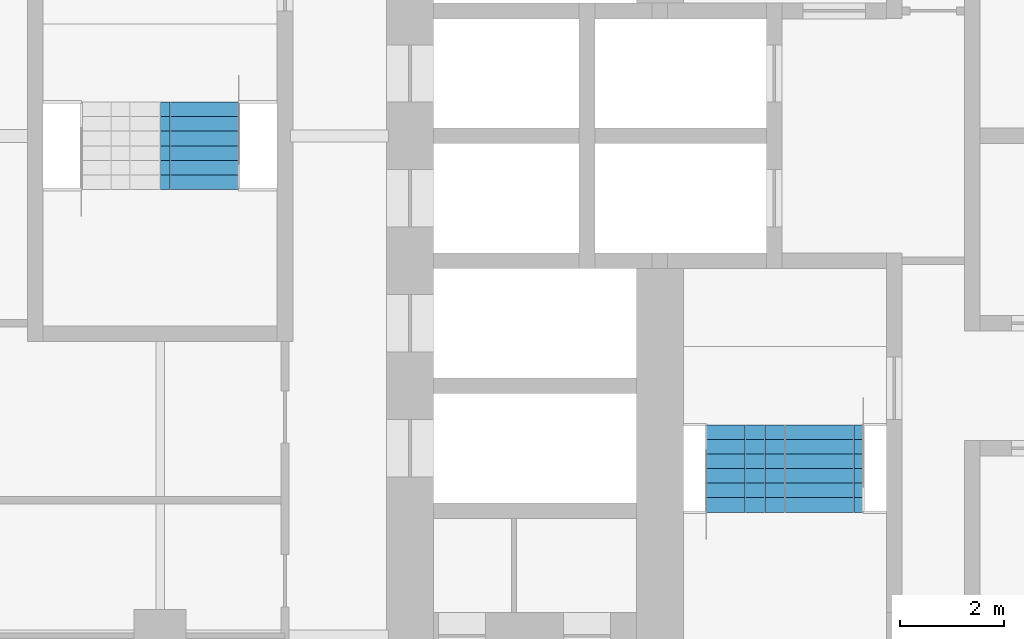
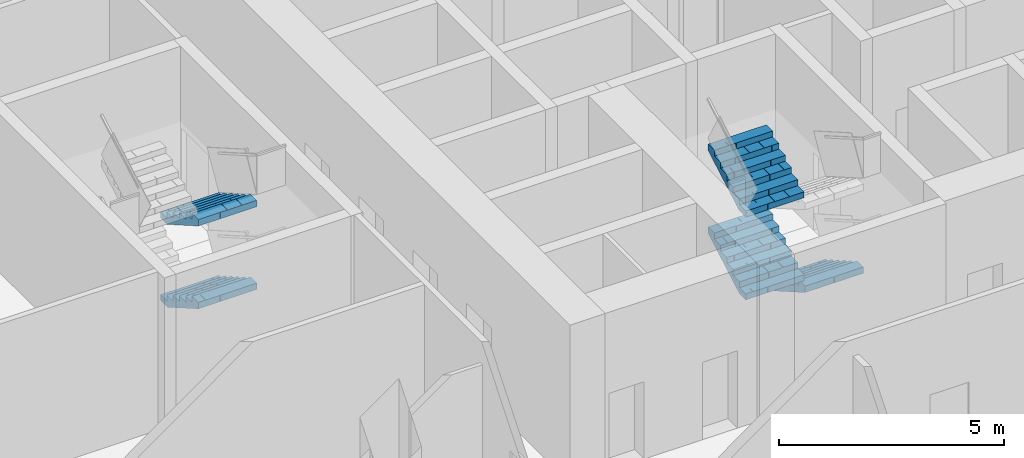
# One storey, part 18 of 23: 5 stair flights, 2 elements without a shape of their own.
"""IFC4 building model written with IfcOpenShell, lengths in metres."""

from ifc_helpers import new_model, si_unit, direction, frame, origin, place, context, subcontext, project, spatial, polyline, outline, extrude, material, type_object, element, aggregate, save


model = new_model("IFC4")

# Units and contexts
model_context = context("Model", 3, precision=1e-05, world=origin(), true_north=direction((0.0, 1.0)))
body_context = subcontext(model_context, "Body", "Model", "MODEL_VIEW")
ifc_project = project(units=[si_unit("LENGTHUNIT", "METRE"), si_unit("AREAUNIT", "SQUARE_METRE"), si_unit("VOLUMEUNIT", "CUBIC_METRE"), si_unit("PLANEANGLEUNIT", "RADIAN"), si_unit("MASSUNIT", "GRAM", prefix="KILO")], contexts=[model_context])

# Site, building, storey
site_placement = place(None, origin())
site = spatial("IfcSite", under=ifc_project, at=site_placement, CompositionType="ELEMENT")
building_placement = place(site_placement, origin())
building = spatial("IfcBuilding", under=site, at=building_placement, Name="Kolab Exchange Tower", CompositionType="ELEMENT")
storey_placement = place(building_placement, frame((0.0, 0.0, 95.89990234375)))
storey = spatial("IfcBuildingStorey", under=building, at=storey_placement, Name="L18", CompositionType="ELEMENT", Elevation=95.89990234375)

# Stair, stair flights
ifc_material = material(Name="Concrete C50/60", Category="concrete")
stair_type_1 = type_object("IfcStairType", Name="STAIR ST3 RISER 160.7", PredefinedType="DOUBLE_RETURN_STAIR", material=ifc_material)
stair_1_placement = place(storey_placement, origin())
stair_1 = element("IfcStair", 1, at=stair_1_placement, inside=storey, type_object=stair_type_1, Name="Stair 3", PredefinedType="DOUBLE_RETURN_STAIR")
stair_flight_type = type_object("IfcStairFlightType", Name="STAIR FLIGHT 1500 RISER 160.7", PredefinedType="STRAIGHT", material=ifc_material)
stair_flight_1_placement = place(storey_placement, frame((-6.43994140625, -5.550048828125, 0.0), z_axis=(0.0, 0.0, 1.0), x_axis=(0.0, -1.0, 0.0)))
stair_flight_1 = element("IfcStairFlight", 2, at=stair_flight_1_placement, type_object=stair_flight_type, Name="ST3 flight 1", NumberOfRisers=7, NumberOfTreads=6, PredefinedType="STRAIGHT", RiserHeight=0.160714286, TreadLength=0.28, context=body_context, shape_type="SweptSolid", body=[
    extrude(outline(polyline([(0.0, 0.0), (0.0, 0.16064453125), (0.280029296875, 0.16064453125), (0.280029296875, 0.321533203125), (0.56005859375, 0.321533203125), (0.56005859375, 0.482177734375), (0.840087890625, 0.482177734375), (0.840087890625, 0.642822265625), (1.1201171875, 0.642822265625), (1.1201171875, 0.803466796875), (1.39990234375, 0.803466796875), (1.39990234375, 0.96435546875), (1.679931640625, 0.96435546875), (1.679931640625, 1.125), (1.679931640625, 0.79150390625), (0.301025390625, 0.0), (0.0, 0.0)])), frame((0.0, 0.75, 0.0), z_axis=(0.0, -1.0, 0.0), x_axis=(1.0, 0.0, 0.0)), (0.0, 0.0, 1.0), 0.185791015625),
    extrude(outline(polyline([(0.0, 0.0), (0.0, 0.16064453125), (0.280029296875, 0.16064453125), (0.280029296875, 0.321533203125), (0.56005859375, 0.321533203125), (0.56005859375, 0.482177734375), (0.840087890625, 0.482177734375), (0.840087890625, 0.642822265625), (1.1201171875, 0.642822265625), (1.1201171875, 0.803466796875), (1.39990234375, 0.803466796875), (1.39990234375, 0.96435546875), (1.679931640625, 0.96435546875), (1.679931640625, 1.125), (1.679931640625, 0.79150390625), (0.301025390625, 0.0), (0.0, 0.0)])), frame((0.0, 0.562255859375, 0.0), z_axis=(0.0, -1.0, 0.0), x_axis=(1.0, 0.0, 0.0)), (0.0, 0.0, 1.0), 0.185791015625),
    extrude(outline(polyline([(0.0, 0.0), (0.0, 0.16064453125), (0.280029296875, 0.16064453125), (0.280029296875, 0.321533203125), (0.56005859375, 0.321533203125), (0.56005859375, 0.482177734375), (0.840087890625, 0.482177734375), (0.840087890625, 0.642822265625), (1.1201171875, 0.642822265625), (1.1201171875, 0.803466796875), (1.39990234375, 0.803466796875), (1.39990234375, 0.96435546875), (1.679931640625, 0.96435546875), (1.679931640625, 1.125), (1.679931640625, 0.79150390625), (0.301025390625, 0.0), (0.0, 0.0)])), frame((0.0, 0.37451171875, 0.0), z_axis=(0.0, -1.0, 0.0), x_axis=(1.0, 0.0, 0.0)), (0.0, 0.0, 1.0), 0.185791015625),
    extrude(outline(polyline([(0.0, 0.0), (0.0, 0.16064453125), (0.280029296875, 0.16064453125), (0.280029296875, 0.321533203125), (0.56005859375, 0.321533203125), (0.56005859375, 0.482177734375), (0.840087890625, 0.482177734375), (0.840087890625, 0.642822265625), (1.1201171875, 0.642822265625), (1.1201171875, 0.803466796875), (1.39990234375, 0.803466796875), (1.39990234375, 0.96435546875), (1.679931640625, 0.96435546875), (1.679931640625, 1.125), (1.679931640625, 0.79150390625), (0.301025390625, 0.0), (0.0, 0.0)])), frame((0.0, 0.186767578125, 0.0), z_axis=(0.0, -1.0, 0.0), x_axis=(1.0, 0.0, 0.0)), (0.0, 0.0, 1.0), 0.185791015625),
    extrude(outline(polyline([(0.0, 0.0), (0.0, 0.16064453125), (0.280029296875, 0.16064453125), (0.280029296875, 0.321533203125), (0.56005859375, 0.321533203125), (0.56005859375, 0.482177734375), (0.840087890625, 0.482177734375), (0.840087890625, 0.642822265625), (1.1201171875, 0.642822265625), (1.1201171875, 0.803466796875), (1.39990234375, 0.803466796875), (1.39990234375, 0.96435546875), (1.679931640625, 0.96435546875), (1.679931640625, 1.125), (1.679931640625, 0.79150390625), (0.301025390625, 0.0), (0.0, 0.0)])), frame((0.0, -0.0009765625, 0.0), z_axis=(0.0, -1.0, 0.0), x_axis=(1.0, 0.0, 0.0)), (0.0, 0.0, 1.0), 0.185791015625),
    extrude(outline(polyline([(0.0, 0.0), (0.0, 0.16064453125), (0.280029296875, 0.16064453125), (0.280029296875, 0.321533203125), (0.56005859375, 0.321533203125), (0.56005859375, 0.482177734375), (0.840087890625, 0.482177734375), (0.840087890625, 0.642822265625), (1.1201171875, 0.642822265625), (1.1201171875, 0.803466796875), (1.39990234375, 0.803466796875), (1.39990234375, 0.96435546875), (1.679931640625, 0.96435546875), (1.679931640625, 1.125), (1.679931640625, 0.79150390625), (0.301025390625, 0.0), (0.0, 0.0)])), frame((0.0, -0.188720703125, 0.0), z_axis=(0.0, -1.0, 0.0), x_axis=(1.0, 0.0, 0.0)), (0.0, 0.0, 1.0), 0.185791015625),
    extrude(outline(polyline([(0.0, 0.0), (0.0, 0.16064453125), (0.280029296875, 0.16064453125), (0.280029296875, 0.321533203125), (0.56005859375, 0.321533203125), (0.56005859375, 0.482177734375), (0.840087890625, 0.482177734375), (0.840087890625, 0.642822265625), (1.1201171875, 0.642822265625), (1.1201171875, 0.803466796875), (1.39990234375, 0.803466796875), (1.39990234375, 0.96435546875), (1.679931640625, 0.96435546875), (1.679931640625, 1.125), (1.679931640625, 0.79150390625), (0.301025390625, 0.0), (0.0, 0.0)])), frame((0.0, -0.37646484375, 0.0), z_axis=(0.0, -1.0, 0.0), x_axis=(1.0, 0.0, 0.0)), (0.0, 0.0, 1.0), 0.185791015625),
    extrude(outline(polyline([(0.0, 0.0), (0.0, 0.16064453125), (0.280029296875, 0.16064453125), (0.280029296875, 0.321533203125), (0.56005859375, 0.321533203125), (0.56005859375, 0.482177734375), (0.840087890625, 0.482177734375), (0.840087890625, 0.642822265625), (1.1201171875, 0.642822265625), (1.1201171875, 0.803466796875), (1.39990234375, 0.803466796875), (1.39990234375, 0.96435546875), (1.679931640625, 0.96435546875), (1.679931640625, 1.125), (1.679931640625, 0.79150390625), (0.301025390625, 0.0), (0.0, 0.0)])), frame((0.0, -0.564208984375, 0.0), z_axis=(0.0, -1.0, 0.0), x_axis=(1.0, 0.0, 0.0)), (0.0, 0.0, 1.0), 0.185791015625),
])
stair_flight_2_placement = place(storey_placement, frame((-7.9599609375, -7.22998046875, 1.125), z_axis=(0.0, 0.0, 1.0), x_axis=(0.0, 1.0, 0.0)))
stair_flight_2 = element("IfcStairFlight", 3, at=stair_flight_2_placement, type_object=stair_flight_type, Name="ST3 flight 2", NumberOfRisers=7, NumberOfTreads=6, PredefinedType="STRAIGHT", RiserHeight=0.160714286, TreadLength=0.28, context=body_context, shape_type="SweptSolid", body=[
    extrude(outline(polyline([(0.0, 0.0), (0.0, 0.16064453125), (0.280029296875, 0.16064453125), (0.280029296875, 0.321533203125), (0.56005859375, 0.321533203125), (0.56005859375, 0.482177734375), (0.840087890625, 0.482177734375), (0.840087890625, 0.642822265625), (1.1201171875, 0.642822265625), (1.1201171875, 0.803466796875), (1.39990234375, 0.803466796875), (1.39990234375, 0.96435546875), (1.679931640625, 0.96435546875), (1.679931640625, 1.125), (1.679931640625, 0.79150390625), (0.301025390625, 0.0), (0.0, 0.0)])), frame((0.0, 0.75, 0.0), z_axis=(0.0, -1.0, 0.0), x_axis=(1.0, 0.0, 0.0)), (0.0, 0.0, 1.0), 0.185791015625),
    extrude(outline(polyline([(0.0, 0.0), (0.0, 0.16064453125), (0.280029296875, 0.16064453125), (0.280029296875, 0.321533203125), (0.56005859375, 0.321533203125), (0.56005859375, 0.482177734375), (0.840087890625, 0.482177734375), (0.840087890625, 0.642822265625), (1.1201171875, 0.642822265625), (1.1201171875, 0.803466796875), (1.39990234375, 0.803466796875), (1.39990234375, 0.96435546875), (1.679931640625, 0.96435546875), (1.679931640625, 1.125), (1.679931640625, 0.79150390625), (0.301025390625, 0.0), (0.0, 0.0)])), frame((0.0, 0.562255859375, 0.0), z_axis=(0.0, -1.0, 0.0), x_axis=(1.0, 0.0, 0.0)), (0.0, 0.0, 1.0), 0.185791015625),
    extrude(outline(polyline([(0.0, 0.0), (0.0, 0.16064453125), (0.280029296875, 0.16064453125), (0.280029296875, 0.321533203125), (0.56005859375, 0.321533203125), (0.56005859375, 0.482177734375), (0.840087890625, 0.482177734375), (0.840087890625, 0.642822265625), (1.1201171875, 0.642822265625), (1.1201171875, 0.803466796875), (1.39990234375, 0.803466796875), (1.39990234375, 0.96435546875), (1.679931640625, 0.96435546875), (1.679931640625, 1.125), (1.679931640625, 0.79150390625), (0.301025390625, 0.0), (0.0, 0.0)])), frame((0.0, 0.37451171875, 0.0), z_axis=(0.0, -1.0, 0.0), x_axis=(1.0, 0.0, 0.0)), (0.0, 0.0, 1.0), 0.185791015625),
    extrude(outline(polyline([(0.0, 0.0), (0.0, 0.16064453125), (0.280029296875, 0.16064453125), (0.280029296875, 0.321533203125), (0.56005859375, 0.321533203125), (0.56005859375, 0.482177734375), (0.840087890625, 0.482177734375), (0.840087890625, 0.642822265625), (1.1201171875, 0.642822265625), (1.1201171875, 0.803466796875), (1.39990234375, 0.803466796875), (1.39990234375, 0.96435546875), (1.679931640625, 0.96435546875), (1.679931640625, 1.125), (1.679931640625, 0.79150390625), (0.301025390625, 0.0), (0.0, 0.0)])), frame((0.0, 0.186767578125, 0.0), z_axis=(0.0, -1.0, 0.0), x_axis=(1.0, 0.0, 0.0)), (0.0, 0.0, 1.0), 0.185791015625),
    extrude(outline(polyline([(0.0, 0.0), (0.0, 0.16064453125), (0.280029296875, 0.16064453125), (0.280029296875, 0.321533203125), (0.56005859375, 0.321533203125), (0.56005859375, 0.482177734375), (0.840087890625, 0.482177734375), (0.840087890625, 0.642822265625), (1.1201171875, 0.642822265625), (1.1201171875, 0.803466796875), (1.39990234375, 0.803466796875), (1.39990234375, 0.96435546875), (1.679931640625, 0.96435546875), (1.679931640625, 1.125), (1.679931640625, 0.79150390625), (0.301025390625, 0.0), (0.0, 0.0)])), frame((0.0, -0.0009765625, 0.0), z_axis=(0.0, -1.0, 0.0), x_axis=(1.0, 0.0, 0.0)), (0.0, 0.0, 1.0), 0.185791015625),
    extrude(outline(polyline([(0.0, 0.0), (0.0, 0.16064453125), (0.280029296875, 0.16064453125), (0.280029296875, 0.321533203125), (0.56005859375, 0.321533203125), (0.56005859375, 0.482177734375), (0.840087890625, 0.482177734375), (0.840087890625, 0.642822265625), (1.1201171875, 0.642822265625), (1.1201171875, 0.803466796875), (1.39990234375, 0.803466796875), (1.39990234375, 0.96435546875), (1.679931640625, 0.96435546875), (1.679931640625, 1.125), (1.679931640625, 0.79150390625), (0.301025390625, 0.0), (0.0, 0.0)])), frame((0.0, -0.188720703125, 0.0), z_axis=(0.0, -1.0, 0.0), x_axis=(1.0, 0.0, 0.0)), (0.0, 0.0, 1.0), 0.185791015625),
    extrude(outline(polyline([(0.0, 0.0), (0.0, 0.16064453125), (0.280029296875, 0.16064453125), (0.280029296875, 0.321533203125), (0.56005859375, 0.321533203125), (0.56005859375, 0.482177734375), (0.840087890625, 0.482177734375), (0.840087890625, 0.642822265625), (1.1201171875, 0.642822265625), (1.1201171875, 0.803466796875), (1.39990234375, 0.803466796875), (1.39990234375, 0.96435546875), (1.679931640625, 0.96435546875), (1.679931640625, 1.125), (1.679931640625, 0.79150390625), (0.301025390625, 0.0), (0.0, 0.0)])), frame((0.0, -0.37646484375, 0.0), z_axis=(0.0, -1.0, 0.0), x_axis=(1.0, 0.0, 0.0)), (0.0, 0.0, 1.0), 0.185791015625),
    extrude(outline(polyline([(0.0, 0.0), (0.0, 0.16064453125), (0.280029296875, 0.16064453125), (0.280029296875, 0.321533203125), (0.56005859375, 0.321533203125), (0.56005859375, 0.482177734375), (0.840087890625, 0.482177734375), (0.840087890625, 0.642822265625), (1.1201171875, 0.642822265625), (1.1201171875, 0.803466796875), (1.39990234375, 0.803466796875), (1.39990234375, 0.96435546875), (1.679931640625, 0.96435546875), (1.679931640625, 1.125), (1.679931640625, 0.79150390625), (0.301025390625, 0.0), (0.0, 0.0)])), frame((0.0, -0.564208984375, 0.0), z_axis=(0.0, -1.0, 0.0), x_axis=(1.0, 0.0, 0.0)), (0.0, 0.0, 1.0), 0.185791015625),
])
stair_flight_3_placement = place(storey_placement, frame((-7.9599609375, -7.22998046875, 3.375), z_axis=(0.0, 0.0, 1.0), x_axis=(0.0, 1.0, 0.0)))
stair_flight_3 = element("IfcStairFlight", 4, at=stair_flight_3_placement, type_object=stair_flight_type, Name="ST3 flight 4", NumberOfRisers=7, NumberOfTreads=6, PredefinedType="STRAIGHT", RiserHeight=0.160714286, TreadLength=0.28, context=body_context, shape_type="SweptSolid", body=[
    extrude(outline(polyline([(0.0, 0.0), (0.0, 0.16064453125), (0.280029296875, 0.16064453125), (0.280029296875, 0.321533203125), (0.56005859375, 0.321533203125), (0.56005859375, 0.482177734375), (0.840087890625, 0.482177734375), (0.840087890625, 0.642822265625), (1.1201171875, 0.642822265625), (1.1201171875, 0.803466796875), (1.39990234375, 0.803466796875), (1.39990234375, 0.96435546875), (1.679931640625, 0.96435546875), (1.679931640625, 1.125), (1.679931640625, 0.79150390625), (0.301025390625, 0.0), (0.0, 0.0)])), frame((0.0, 0.75, 0.0), z_axis=(0.0, -1.0, 0.0), x_axis=(1.0, 0.0, 0.0)), (0.0, 0.0, 1.0), 0.185791015625),
    extrude(outline(polyline([(0.0, 0.0), (0.0, 0.16064453125), (0.280029296875, 0.16064453125), (0.280029296875, 0.321533203125), (0.56005859375, 0.321533203125), (0.56005859375, 0.482177734375), (0.840087890625, 0.482177734375), (0.840087890625, 0.642822265625), (1.1201171875, 0.642822265625), (1.1201171875, 0.803466796875), (1.39990234375, 0.803466796875), (1.39990234375, 0.96435546875), (1.679931640625, 0.96435546875), (1.679931640625, 1.125), (1.679931640625, 0.79150390625), (0.301025390625, 0.0), (0.0, 0.0)])), frame((0.0, 0.562255859375, 0.0), z_axis=(0.0, -1.0, 0.0), x_axis=(1.0, 0.0, 0.0)), (0.0, 0.0, 1.0), 0.185791015625),
    extrude(outline(polyline([(0.0, 0.0), (0.0, 0.16064453125), (0.280029296875, 0.16064453125), (0.280029296875, 0.321533203125), (0.56005859375, 0.321533203125), (0.56005859375, 0.482177734375), (0.840087890625, 0.482177734375), (0.840087890625, 0.642822265625), (1.1201171875, 0.642822265625), (1.1201171875, 0.803466796875), (1.39990234375, 0.803466796875), (1.39990234375, 0.96435546875), (1.679931640625, 0.96435546875), (1.679931640625, 1.125), (1.679931640625, 0.79150390625), (0.301025390625, 0.0), (0.0, 0.0)])), frame((0.0, 0.37451171875, 0.0), z_axis=(0.0, -1.0, 0.0), x_axis=(1.0, 0.0, 0.0)), (0.0, 0.0, 1.0), 0.185791015625),
    extrude(outline(polyline([(0.0, 0.0), (0.0, 0.16064453125), (0.280029296875, 0.16064453125), (0.280029296875, 0.321533203125), (0.56005859375, 0.321533203125), (0.56005859375, 0.482177734375), (0.840087890625, 0.482177734375), (0.840087890625, 0.642822265625), (1.1201171875, 0.642822265625), (1.1201171875, 0.803466796875), (1.39990234375, 0.803466796875), (1.39990234375, 0.96435546875), (1.679931640625, 0.96435546875), (1.679931640625, 1.125), (1.679931640625, 0.79150390625), (0.301025390625, 0.0), (0.0, 0.0)])), frame((0.0, 0.186767578125, 0.0), z_axis=(0.0, -1.0, 0.0), x_axis=(1.0, 0.0, 0.0)), (0.0, 0.0, 1.0), 0.185791015625),
    extrude(outline(polyline([(0.0, 0.0), (0.0, 0.16064453125), (0.280029296875, 0.16064453125), (0.280029296875, 0.321533203125), (0.56005859375, 0.321533203125), (0.56005859375, 0.482177734375), (0.840087890625, 0.482177734375), (0.840087890625, 0.642822265625), (1.1201171875, 0.642822265625), (1.1201171875, 0.803466796875), (1.39990234375, 0.803466796875), (1.39990234375, 0.96435546875), (1.679931640625, 0.96435546875), (1.679931640625, 1.125), (1.679931640625, 0.79150390625), (0.301025390625, 0.0), (0.0, 0.0)])), frame((0.0, -0.0009765625, 0.0), z_axis=(0.0, -1.0, 0.0), x_axis=(1.0, 0.0, 0.0)), (0.0, 0.0, 1.0), 0.185791015625),
    extrude(outline(polyline([(0.0, 0.0), (0.0, 0.16064453125), (0.280029296875, 0.16064453125), (0.280029296875, 0.321533203125), (0.56005859375, 0.321533203125), (0.56005859375, 0.482177734375), (0.840087890625, 0.482177734375), (0.840087890625, 0.642822265625), (1.1201171875, 0.642822265625), (1.1201171875, 0.803466796875), (1.39990234375, 0.803466796875), (1.39990234375, 0.96435546875), (1.679931640625, 0.96435546875), (1.679931640625, 1.125), (1.679931640625, 0.79150390625), (0.301025390625, 0.0), (0.0, 0.0)])), frame((0.0, -0.188720703125, 0.0), z_axis=(0.0, -1.0, 0.0), x_axis=(1.0, 0.0, 0.0)), (0.0, 0.0, 1.0), 0.185791015625),
    extrude(outline(polyline([(0.0, 0.0), (0.0, 0.16064453125), (0.280029296875, 0.16064453125), (0.280029296875, 0.321533203125), (0.56005859375, 0.321533203125), (0.56005859375, 0.482177734375), (0.840087890625, 0.482177734375), (0.840087890625, 0.642822265625), (1.1201171875, 0.642822265625), (1.1201171875, 0.803466796875), (1.39990234375, 0.803466796875), (1.39990234375, 0.96435546875), (1.679931640625, 0.96435546875), (1.679931640625, 1.125), (1.679931640625, 0.79150390625), (0.301025390625, 0.0), (0.0, 0.0)])), frame((0.0, -0.37646484375, 0.0), z_axis=(0.0, -1.0, 0.0), x_axis=(1.0, 0.0, 0.0)), (0.0, 0.0, 1.0), 0.185791015625),
    extrude(outline(polyline([(0.0, 0.0), (0.0, 0.16064453125), (0.280029296875, 0.16064453125), (0.280029296875, 0.321533203125), (0.56005859375, 0.321533203125), (0.56005859375, 0.482177734375), (0.840087890625, 0.482177734375), (0.840087890625, 0.642822265625), (1.1201171875, 0.642822265625), (1.1201171875, 0.803466796875), (1.39990234375, 0.803466796875), (1.39990234375, 0.96435546875), (1.679931640625, 0.96435546875), (1.679931640625, 1.125), (1.679931640625, 0.79150390625), (0.301025390625, 0.0), (0.0, 0.0)])), frame((0.0, -0.564208984375, 0.0), z_axis=(0.0, -1.0, 0.0), x_axis=(1.0, 0.0, 0.0)), (0.0, 0.0, 1.0), 0.185791015625),
])
aggregate(stair_1, [stair_flight_1, stair_flight_2, stair_flight_3])

stair_type_2 = type_object("IfcStairType", Name="STAIR ST5 RISER 160.7", PredefinedType="DOUBLE_RETURN_STAIR", material=ifc_material)
stair_2_placement = place(storey_placement, origin())
stair_2 = element("IfcStair", 5, at=stair_2_placement, inside=storey, type_object=stair_type_2, Name="Stair 5", PredefinedType="DOUBLE_RETURN_STAIR")
stair_flight_4_placement = place(storey_placement, frame((-18.43994140625, 0.64990234375, 0.0), z_axis=(0.0, 0.0, 1.0), x_axis=(0.0, -1.0, 0.0)))
stair_flight_4 = element("IfcStairFlight", 6, at=stair_flight_4_placement, type_object=stair_flight_type, Name="ST5 flight 1", NumberOfRisers=7, NumberOfTreads=6, PredefinedType="STRAIGHT", RiserHeight=0.160714286, TreadLength=0.28, context=body_context, shape_type="SweptSolid", body=[
    extrude(outline(polyline([(0.0, 0.0), (0.0, 0.16064453125), (0.280029296875, 0.16064453125), (0.280029296875, 0.321533203125), (0.56005859375, 0.321533203125), (0.56005859375, 0.482177734375), (0.840087890625, 0.482177734375), (0.840087890625, 0.642822265625), (1.1201171875, 0.642822265625), (1.1201171875, 0.803466796875), (1.39990234375, 0.803466796875), (1.39990234375, 0.96435546875), (1.679931640625, 0.96435546875), (1.679931640625, 1.125), (1.679931640625, 0.79150390625), (0.301025390625, 0.0), (0.0, 0.0)])), frame((0.0, 0.75, 0.0), z_axis=(0.0, -1.0, 0.0), x_axis=(1.0, 0.0, 0.0)), (0.0, 0.0, 1.0), 0.185791015625),
    extrude(outline(polyline([(0.0, 0.0), (0.0, 0.16064453125), (0.280029296875, 0.16064453125), (0.280029296875, 0.321533203125), (0.56005859375, 0.321533203125), (0.56005859375, 0.482177734375), (0.840087890625, 0.482177734375), (0.840087890625, 0.642822265625), (1.1201171875, 0.642822265625), (1.1201171875, 0.803466796875), (1.39990234375, 0.803466796875), (1.39990234375, 0.96435546875), (1.679931640625, 0.96435546875), (1.679931640625, 1.125), (1.679931640625, 0.79150390625), (0.301025390625, 0.0), (0.0, 0.0)])), frame((0.0, 0.562255859375, 0.0), z_axis=(0.0, -1.0, 0.0), x_axis=(1.0, 0.0, 0.0)), (0.0, 0.0, 1.0), 0.185791015625),
    extrude(outline(polyline([(0.0, 0.0), (0.0, 0.16064453125), (0.280029296875, 0.16064453125), (0.280029296875, 0.321533203125), (0.56005859375, 0.321533203125), (0.56005859375, 0.482177734375), (0.840087890625, 0.482177734375), (0.840087890625, 0.642822265625), (1.1201171875, 0.642822265625), (1.1201171875, 0.803466796875), (1.39990234375, 0.803466796875), (1.39990234375, 0.96435546875), (1.679931640625, 0.96435546875), (1.679931640625, 1.125), (1.679931640625, 0.79150390625), (0.301025390625, 0.0), (0.0, 0.0)])), frame((0.0, 0.37451171875, 0.0), z_axis=(0.0, -1.0, 0.0), x_axis=(1.0, 0.0, 0.0)), (0.0, 0.0, 1.0), 0.185791015625),
    extrude(outline(polyline([(0.0, 0.0), (0.0, 0.16064453125), (0.280029296875, 0.16064453125), (0.280029296875, 0.321533203125), (0.56005859375, 0.321533203125), (0.56005859375, 0.482177734375), (0.840087890625, 0.482177734375), (0.840087890625, 0.642822265625), (1.1201171875, 0.642822265625), (1.1201171875, 0.803466796875), (1.39990234375, 0.803466796875), (1.39990234375, 0.96435546875), (1.679931640625, 0.96435546875), (1.679931640625, 1.125), (1.679931640625, 0.79150390625), (0.301025390625, 0.0), (0.0, 0.0)])), frame((0.0, 0.186767578125, 0.0), z_axis=(0.0, -1.0, 0.0), x_axis=(1.0, 0.0, 0.0)), (0.0, 0.0, 1.0), 0.185791015625),
    extrude(outline(polyline([(0.0, 0.0), (0.0, 0.16064453125), (0.280029296875, 0.16064453125), (0.280029296875, 0.321533203125), (0.56005859375, 0.321533203125), (0.56005859375, 0.482177734375), (0.840087890625, 0.482177734375), (0.840087890625, 0.642822265625), (1.1201171875, 0.642822265625), (1.1201171875, 0.803466796875), (1.39990234375, 0.803466796875), (1.39990234375, 0.96435546875), (1.679931640625, 0.96435546875), (1.679931640625, 1.125), (1.679931640625, 0.79150390625), (0.301025390625, 0.0), (0.0, 0.0)])), frame((0.0, -0.0009765625, 0.0), z_axis=(0.0, -1.0, 0.0), x_axis=(1.0, 0.0, 0.0)), (0.0, 0.0, 1.0), 0.185791015625),
    extrude(outline(polyline([(0.0, 0.0), (0.0, 0.16064453125), (0.280029296875, 0.16064453125), (0.280029296875, 0.321533203125), (0.56005859375, 0.321533203125), (0.56005859375, 0.482177734375), (0.840087890625, 0.482177734375), (0.840087890625, 0.642822265625), (1.1201171875, 0.642822265625), (1.1201171875, 0.803466796875), (1.39990234375, 0.803466796875), (1.39990234375, 0.96435546875), (1.679931640625, 0.96435546875), (1.679931640625, 1.125), (1.679931640625, 0.79150390625), (0.301025390625, 0.0), (0.0, 0.0)])), frame((0.0, -0.188720703125, 0.0), z_axis=(0.0, -1.0, 0.0), x_axis=(1.0, 0.0, 0.0)), (0.0, 0.0, 1.0), 0.185791015625),
    extrude(outline(polyline([(0.0, 0.0), (0.0, 0.16064453125), (0.280029296875, 0.16064453125), (0.280029296875, 0.321533203125), (0.56005859375, 0.321533203125), (0.56005859375, 0.482177734375), (0.840087890625, 0.482177734375), (0.840087890625, 0.642822265625), (1.1201171875, 0.642822265625), (1.1201171875, 0.803466796875), (1.39990234375, 0.803466796875), (1.39990234375, 0.96435546875), (1.679931640625, 0.96435546875), (1.679931640625, 1.125), (1.679931640625, 0.79150390625), (0.301025390625, 0.0), (0.0, 0.0)])), frame((0.0, -0.37646484375, 0.0), z_axis=(0.0, -1.0, 0.0), x_axis=(1.0, 0.0, 0.0)), (0.0, 0.0, 1.0), 0.185791015625),
    extrude(outline(polyline([(0.0, 0.0), (0.0, 0.16064453125), (0.280029296875, 0.16064453125), (0.280029296875, 0.321533203125), (0.56005859375, 0.321533203125), (0.56005859375, 0.482177734375), (0.840087890625, 0.482177734375), (0.840087890625, 0.642822265625), (1.1201171875, 0.642822265625), (1.1201171875, 0.803466796875), (1.39990234375, 0.803466796875), (1.39990234375, 0.96435546875), (1.679931640625, 0.96435546875), (1.679931640625, 1.125), (1.679931640625, 0.79150390625), (0.301025390625, 0.0), (0.0, 0.0)])), frame((0.0, -0.564208984375, 0.0), z_axis=(0.0, -1.0, 0.0), x_axis=(1.0, 0.0, 0.0)), (0.0, 0.0, 1.0), 0.185791015625),
])
stair_flight_5_placement = place(storey_placement, frame((-18.43994140625, 0.64990234375, 2.25), z_axis=(0.0, 0.0, 1.0), x_axis=(0.0, -1.0, 0.0)))
stair_flight_5 = element("IfcStairFlight", 7, at=stair_flight_5_placement, type_object=stair_flight_type, Name="ST5 flight 3", NumberOfRisers=7, NumberOfTreads=6, PredefinedType="STRAIGHT", RiserHeight=0.160714286, TreadLength=0.28, context=body_context, shape_type="SweptSolid", body=[
    extrude(outline(polyline([(0.0, 0.0), (0.0, 0.16064453125), (0.280029296875, 0.16064453125), (0.280029296875, 0.321533203125), (0.56005859375, 0.321533203125), (0.56005859375, 0.482177734375), (0.840087890625, 0.482177734375), (0.840087890625, 0.642822265625), (1.1201171875, 0.642822265625), (1.1201171875, 0.803466796875), (1.39990234375, 0.803466796875), (1.39990234375, 0.96435546875), (1.679931640625, 0.96435546875), (1.679931640625, 1.125), (1.679931640625, 0.79150390625), (0.301025390625, 0.0), (0.0, 0.0)])), frame((0.0, 0.75, 0.0), z_axis=(0.0, -1.0, 0.0), x_axis=(1.0, 0.0, 0.0)), (0.0, 0.0, 1.0), 0.185791015625),
    extrude(outline(polyline([(0.0, 0.0), (0.0, 0.16064453125), (0.280029296875, 0.16064453125), (0.280029296875, 0.321533203125), (0.56005859375, 0.321533203125), (0.56005859375, 0.482177734375), (0.840087890625, 0.482177734375), (0.840087890625, 0.642822265625), (1.1201171875, 0.642822265625), (1.1201171875, 0.803466796875), (1.39990234375, 0.803466796875), (1.39990234375, 0.96435546875), (1.679931640625, 0.96435546875), (1.679931640625, 1.125), (1.679931640625, 0.79150390625), (0.301025390625, 0.0), (0.0, 0.0)])), frame((0.0, 0.562255859375, 0.0), z_axis=(0.0, -1.0, 0.0), x_axis=(1.0, 0.0, 0.0)), (0.0, 0.0, 1.0), 0.185791015625),
    extrude(outline(polyline([(0.0, 0.0), (0.0, 0.16064453125), (0.280029296875, 0.16064453125), (0.280029296875, 0.321533203125), (0.56005859375, 0.321533203125), (0.56005859375, 0.482177734375), (0.840087890625, 0.482177734375), (0.840087890625, 0.642822265625), (1.1201171875, 0.642822265625), (1.1201171875, 0.803466796875), (1.39990234375, 0.803466796875), (1.39990234375, 0.96435546875), (1.679931640625, 0.96435546875), (1.679931640625, 1.125), (1.679931640625, 0.79150390625), (0.301025390625, 0.0), (0.0, 0.0)])), frame((0.0, 0.37451171875, 0.0), z_axis=(0.0, -1.0, 0.0), x_axis=(1.0, 0.0, 0.0)), (0.0, 0.0, 1.0), 0.185791015625),
    extrude(outline(polyline([(0.0, 0.0), (0.0, 0.16064453125), (0.280029296875, 0.16064453125), (0.280029296875, 0.321533203125), (0.56005859375, 0.321533203125), (0.56005859375, 0.482177734375), (0.840087890625, 0.482177734375), (0.840087890625, 0.642822265625), (1.1201171875, 0.642822265625), (1.1201171875, 0.803466796875), (1.39990234375, 0.803466796875), (1.39990234375, 0.96435546875), (1.679931640625, 0.96435546875), (1.679931640625, 1.125), (1.679931640625, 0.79150390625), (0.301025390625, 0.0), (0.0, 0.0)])), frame((0.0, 0.186767578125, 0.0), z_axis=(0.0, -1.0, 0.0), x_axis=(1.0, 0.0, 0.0)), (0.0, 0.0, 1.0), 0.185791015625),
    extrude(outline(polyline([(0.0, 0.0), (0.0, 0.16064453125), (0.280029296875, 0.16064453125), (0.280029296875, 0.321533203125), (0.56005859375, 0.321533203125), (0.56005859375, 0.482177734375), (0.840087890625, 0.482177734375), (0.840087890625, 0.642822265625), (1.1201171875, 0.642822265625), (1.1201171875, 0.803466796875), (1.39990234375, 0.803466796875), (1.39990234375, 0.96435546875), (1.679931640625, 0.96435546875), (1.679931640625, 1.125), (1.679931640625, 0.79150390625), (0.301025390625, 0.0), (0.0, 0.0)])), frame((0.0, -0.0009765625, 0.0), z_axis=(0.0, -1.0, 0.0), x_axis=(1.0, 0.0, 0.0)), (0.0, 0.0, 1.0), 0.185791015625),
    extrude(outline(polyline([(0.0, 0.0), (0.0, 0.16064453125), (0.280029296875, 0.16064453125), (0.280029296875, 0.321533203125), (0.56005859375, 0.321533203125), (0.56005859375, 0.482177734375), (0.840087890625, 0.482177734375), (0.840087890625, 0.642822265625), (1.1201171875, 0.642822265625), (1.1201171875, 0.803466796875), (1.39990234375, 0.803466796875), (1.39990234375, 0.96435546875), (1.679931640625, 0.96435546875), (1.679931640625, 1.125), (1.679931640625, 0.79150390625), (0.301025390625, 0.0), (0.0, 0.0)])), frame((0.0, -0.188720703125, 0.0), z_axis=(0.0, -1.0, 0.0), x_axis=(1.0, 0.0, 0.0)), (0.0, 0.0, 1.0), 0.185791015625),
    extrude(outline(polyline([(0.0, 0.0), (0.0, 0.16064453125), (0.280029296875, 0.16064453125), (0.280029296875, 0.321533203125), (0.56005859375, 0.321533203125), (0.56005859375, 0.482177734375), (0.840087890625, 0.482177734375), (0.840087890625, 0.642822265625), (1.1201171875, 0.642822265625), (1.1201171875, 0.803466796875), (1.39990234375, 0.803466796875), (1.39990234375, 0.96435546875), (1.679931640625, 0.96435546875), (1.679931640625, 1.125), (1.679931640625, 0.79150390625), (0.301025390625, 0.0), (0.0, 0.0)])), frame((0.0, -0.37646484375, 0.0), z_axis=(0.0, -1.0, 0.0), x_axis=(1.0, 0.0, 0.0)), (0.0, 0.0, 1.0), 0.185791015625),
    extrude(outline(polyline([(0.0, 0.0), (0.0, 0.16064453125), (0.280029296875, 0.16064453125), (0.280029296875, 0.321533203125), (0.56005859375, 0.321533203125), (0.56005859375, 0.482177734375), (0.840087890625, 0.482177734375), (0.840087890625, 0.642822265625), (1.1201171875, 0.642822265625), (1.1201171875, 0.803466796875), (1.39990234375, 0.803466796875), (1.39990234375, 0.96435546875), (1.679931640625, 0.96435546875), (1.679931640625, 1.125), (1.679931640625, 0.79150390625), (0.301025390625, 0.0), (0.0, 0.0)])), frame((0.0, -0.564208984375, 0.0), z_axis=(0.0, -1.0, 0.0), x_axis=(1.0, 0.0, 0.0)), (0.0, 0.0, 1.0), 0.185791015625),
])
aggregate(stair_2, [stair_flight_4, stair_flight_5])

save(model, "model.ifc")
